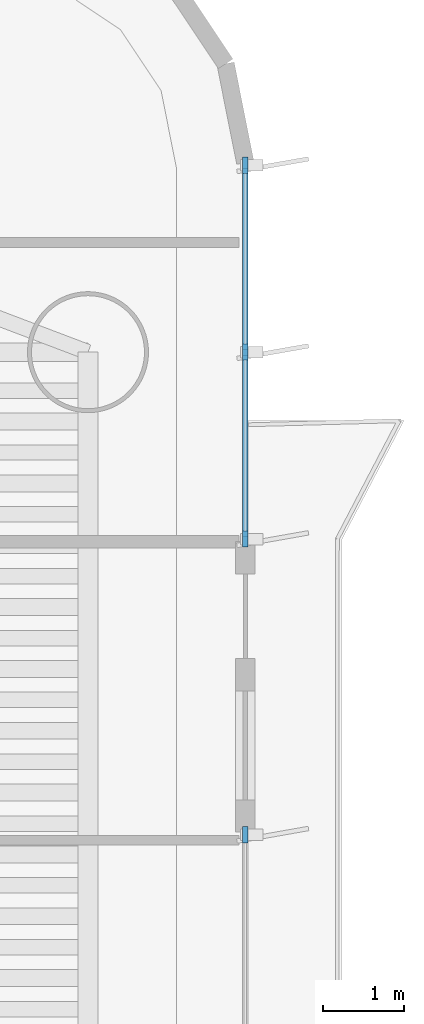
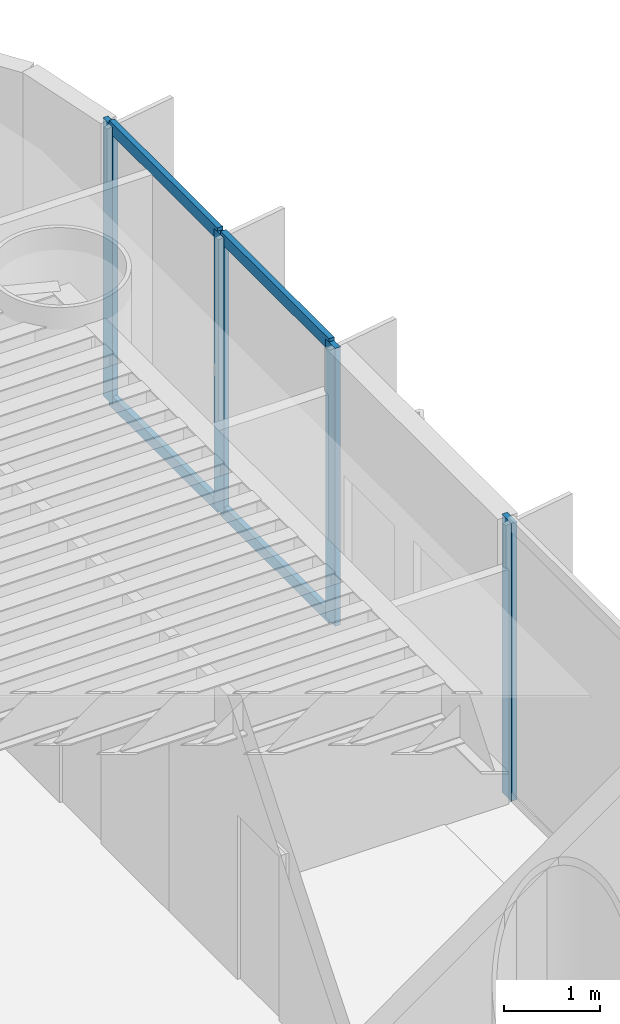
# One storey, part 6 of 19: 8 members, 2 elements without a shape of their own.
"""IFC4 building model written with IfcOpenShell, lengths in metres."""

import ifcopenshell
import ifcopenshell.guid

model = None  # the IFC model being written
_history = None  # IfcOwnerHistory: only IFC2X3 demands one
_inside = {}  # id of a spatial element -> (the spatial element, [elements in it])
_under = {}  # id of a project, library or spatial element -> (it, [spatial elements below it])
_declared = {}  # id of a project -> (the project, [libraries it declares])
_typed = {}  # id of a type object -> (the type object, [elements of that type])
_made_of = {}  # id of a material, layer set ... -> (it, [elements and type objects made of it])


def new_model(schema):
    """Start an empty IFC model of exactly this schema.

    Asked for "IFC4X3", IfcOpenShell would pick the latest addendum, in which some entities
    have other attributes; the version numbers below select the first issue.
    IFC2X3 requires an IfcOwnerHistory on every rooted entity: one is made here for all.
    """
    global model, _history
    if schema == "IFC4X3":
        model = ifcopenshell.file(schema_version=(4, 3, 0, 0))
    else:
        model = ifcopenshell.file(schema=schema)
    _inside.clear()
    _under.clear()
    _declared.clear()
    _typed.clear()
    _made_of.clear()
    _history = None
    if model.schema == "IFC2X3":
        org = make("IfcOrganization", Name="unknown")
        user = make(
            "IfcPersonAndOrganization",
            ThePerson=make("IfcPerson", FamilyName="unknown"),
            TheOrganization=org,
        )
        app = make(
            "IfcApplication",
            ApplicationDeveloper=org,
            Version="unknown",
            ApplicationFullName="unknown",
            ApplicationIdentifier="unknown",
        )
        _history = make(
            "IfcOwnerHistory",
            OwningUser=user,
            OwningApplication=app,
            ChangeAction="ADDED",
            CreationDate=0,
        )
    return model


def make(cls, **values):
    """One entity of the class cls with the attributes given. An attribute that is None is left unset."""
    return model.create_entity(
        cls, **{name: value for name, value in values.items() if value is not None}
    )


def rooted(cls, **values):
    """An entity with a GlobalId (a new one), such as an element, a storey or a relation."""
    return make(cls, GlobalId=ifcopenshell.guid.new(), OwnerHistory=_history, **values)


def si_unit(unit_type, name, prefix=None):
    """IfcSIUnit, for example si_unit("LENGTHUNIT", "METRE", prefix="MILLI")."""
    return make("IfcSIUnit", UnitType=unit_type, Prefix=prefix, Name=name)


def assignment(units):
    """IfcUnitAssignment: the units of a project."""
    return None if units is None else make("IfcUnitAssignment", Units=units)


def point(xyz):
    """IfcCartesianPoint."""
    return None if xyz is None else make("IfcCartesianPoint", Coordinates=xyz)


def direction(xyz):
    """IfcDirection."""
    return None if xyz is None else make("IfcDirection", DirectionRatios=xyz)


def frame(location, z_axis=None, x_axis=None):
    """IfcAxis2Placement3D, a coordinate frame: its origin and axes. An axis left out is left unset."""
    return make(
        "IfcAxis2Placement3D",
        Location=point(location),
        Axis=direction(z_axis),
        RefDirection=direction(x_axis),
    )


def frame_2d(location, x_axis=None):
    """IfcAxis2Placement2D, a coordinate frame in the plane: its origin and x axis."""
    return make(
        "IfcAxis2Placement2D", Location=point(location), RefDirection=direction(x_axis)
    )


def origin():
    """The frame at (0, 0, 0) with its axes left unset."""
    return frame((0.0, 0.0, 0.0))


def origin_2d():
    """The frame at (0, 0) in the plane with its x axis left unset."""
    return frame_2d((0.0, 0.0))


def place(relative_to, where):
    """IfcLocalPlacement: puts the frame where relative to a parent placement (None: the world)."""
    return make(
        "IfcLocalPlacement", PlacementRelTo=relative_to, RelativePlacement=where
    )


def context(
    kind, dimensions, precision=None, world=None, true_north=None, identifier=None
):
    """IfcGeometricRepresentationContext, for example the 3D "Model" context."""
    return make(
        "IfcGeometricRepresentationContext",
        ContextIdentifier=identifier,
        ContextType=kind,
        CoordinateSpaceDimension=dimensions,
        Precision=precision,
        WorldCoordinateSystem=world,
        TrueNorth=true_north,
    )


def subcontext(parent, identifier, kind, view, scale=None):
    """IfcGeometricRepresentationSubContext, for example "Body" below "Model"."""
    return make(
        "IfcGeometricRepresentationSubContext",
        ContextIdentifier=identifier,
        ContextType=kind,
        ParentContext=parent,
        TargetScale=scale,
        TargetView=view,
    )


def project(units=None, contexts=None):
    """IfcProject with its units and contexts."""
    return rooted(
        "IfcProject",
        Name="project",
        RepresentationContexts=contexts,
        UnitsInContext=assignment(units),
    )


def spatial(cls, under=None, at=None, **own):
    """A site, building, storey or space (cls), placed at a placement, below another one or the project."""
    s = rooted(cls, ObjectPlacement=at, **own)
    if under is not None:
        _under.setdefault(under.id(), (under, []))[1].append(s)
    return s


def profile(cls, at=None, kind="AREA", **sizes):
    """A parametric profile (cls). Its sizes go by their IFC names, for example OverallWidth=200.0."""
    return make(cls, ProfileType=kind, Position=at, **sizes)


def rectangle(**sizes):
    """IfcRectangleProfileDef."""
    return profile("IfcRectangleProfileDef", **sizes)


def extrude(swept, where, along, depth):
    """IfcExtrudedAreaSolid: the profile swept, set in the frame where, extruded along a direction by depth."""
    return make(
        "IfcExtrudedAreaSolid",
        SweptArea=swept,
        Position=where,
        ExtrudedDirection=direction(along),
        Depth=depth,
    )


def shape(context_of_items, identifier, shape_type, items):
    """IfcShapeRepresentation: the items that make up one representation, for example the "Body"."""
    return make(
        "IfcShapeRepresentation",
        ContextOfItems=context_of_items,
        RepresentationIdentifier=identifier,
        RepresentationType=shape_type,
        Items=items,
    )


def source(mapping_origin, context_of_items, identifier, shape_type, items):
    """IfcRepresentationMap: a shape defined once, which mapped items show again and again."""
    return make(
        "IfcRepresentationMap",
        MappingOrigin=mapping_origin,
        MappedRepresentation=shape(context_of_items, identifier, shape_type, items),
    )


def transform(
    local_origin,
    x_axis=None,
    y_axis=None,
    z_axis=None,
    scale=None,
    scale2=None,
    scale3=None,
    uniform=True,
):
    """IfcCartesianTransformationOperator3D, or its non-uniform kind. x_axis, y_axis, z_axis: its Axis1, 2, 3."""
    if uniform:
        return make(
            "IfcCartesianTransformationOperator3D",
            Axis1=direction(x_axis),
            Axis2=direction(y_axis),
            LocalOrigin=point(local_origin),
            Scale=scale,
            Axis3=direction(z_axis),
        )
    return make(
        "IfcCartesianTransformationOperator3DnonUniform",
        Axis1=direction(x_axis),
        Axis2=direction(y_axis),
        LocalOrigin=point(local_origin),
        Scale=scale,
        Axis3=direction(z_axis),
        Scale2=scale2,
        Scale3=scale3,
    )


def mapped(mapping_source, mapping_target):
    """IfcMappedItem: shows the shape of a source again, moved by a transform."""
    return make(
        "IfcMappedItem", MappingSource=mapping_source, MappingTarget=mapping_target
    )


def material(Name=None, Category=None):
    """IfcMaterial."""
    return make("IfcMaterial", Name=Name, Category=Category)


def layer(
    of_material, thickness, ventilated=None, Name=None, Category=None, Priority=None
):
    """IfcMaterialLayer: one layer of a wall or slab, of a material (None: an air gap)."""
    return make(
        "IfcMaterialLayer",
        Material=of_material,
        LayerThickness=thickness,
        IsVentilated=ventilated,
        Name=Name,
        Category=Category,
        Priority=Priority,
    )


def layer_set(layers, Name=None):
    """IfcMaterialLayerSet."""
    return make("IfcMaterialLayerSet", MaterialLayers=layers, LayerSetName=Name)


def material_profile(
    of_material, cross_section, Name=None, Category=None, Priority=None
):
    """IfcMaterialProfile: a cross section and its material."""
    return make(
        "IfcMaterialProfile",
        Name=Name,
        Material=of_material,
        Profile=cross_section,
        Priority=Priority,
        Category=Category,
    )


def profile_set(profiles, Name=None, composite=None):
    """IfcMaterialProfileSet."""
    return make(
        "IfcMaterialProfileSet",
        Name=Name,
        MaterialProfiles=profiles,
        CompositeProfile=composite,
    )


def made_of(thing, what):
    """Note that an element or type object is made of a material, layer set ...; save() writes the relation."""
    if what is not None:
        _made_of.setdefault(what.id(), (what, []))[1].append(thing)
    return thing


def type_object(cls, material=None, **own):
    """A type object (cls), such as IfcWallType, which elements share."""
    return made_of(rooted(cls, **own), material)


def element(
    cls,
    number,
    at=None,
    inside=None,
    cuts=None,
    type_object=None,
    material=None,
    context=None,
    identifier="Body",
    shape_type=None,
    held_by="IfcProductDefinitionShape",
    body=None,
    shapes=None,
    **own,
):
    """One element of the class cls, such as IfcWall. Its Tag is "e" and its number.

    at: its placement. inside: the storey or other place that contains it. cuts: it is an
    opening in that element (IfcRelVoidsElement). A single representation is given by context,
    identifier, shape_type and body (its items); several are given by shapes. held_by: the class
    of the entity that holds the representations. save() writes the other relations.
    """
    e = rooted(cls, Tag="e%d" % number, ObjectPlacement=at, **own)
    if body is not None:
        shapes = [shape(context, identifier, shape_type, body)]
    if shapes is not None:
        e.Representation = make(held_by, Representations=shapes)
    if inside is not None:
        _inside.setdefault(inside.id(), (inside, []))[1].append(e)
    if cuts is not None:
        rooted(
            "IfcRelVoidsElement", RelatingBuildingElement=cuts, RelatedOpeningElement=e
        )
    if type_object is not None:
        _typed.setdefault(type_object.id(), (type_object, []))[1].append(e)
    return made_of(e, material)


def aggregate(whole, parts):
    """IfcRelAggregates: a whole, such as a stair, and the parts it consists of."""
    return rooted("IfcRelAggregates", RelatingObject=whole, RelatedObjects=parts)


def save(model, path):
    """Write the relations noted so far, then the file.

    IfcRelAggregates (storeys below a building ...), IfcRelContainedInSpatialStructure (elements
    in a storey), IfcRelDefinesByType, IfcRelAssociatesMaterial and IfcRelDeclares: one each for
    every whole, place, type object, material and project.
    """
    for whole, parts in _under.values():
        aggregate(whole, parts)
    for where, things in _inside.values():
        rooted(
            "IfcRelContainedInSpatialStructure",
            RelatedElements=things,
            RelatingStructure=where,
        )
    for kind, things in _typed.values():
        rooted("IfcRelDefinesByType", RelatedObjects=things, RelatingType=kind)
    for what, things in _made_of.values():
        rooted("IfcRelAssociatesMaterial", RelatedObjects=things, RelatingMaterial=what)
    for by, libraries in _declared.values():
        rooted("IfcRelDeclares", RelatingContext=by, RelatedDefinitions=libraries)
    model.write(path)


model = new_model("IFC4")

# Units and contexts
model_context = context("Model", 3, precision=1e-05, world=origin(), true_north=direction((0.0, 1.0)))
body_context = subcontext(model_context, "Body", "Model", "MODEL_VIEW")
ifc_project = project(units=[si_unit("LENGTHUNIT", "METRE"), si_unit("AREAUNIT", "SQUARE_METRE"), si_unit("VOLUMEUNIT", "CUBIC_METRE"), si_unit("PLANEANGLEUNIT", "RADIAN"), si_unit("MASSUNIT", "GRAM", prefix="KILO")], contexts=[model_context])

# Site, building, storey
site_placement = place(None, origin())
site = spatial("IfcSite", under=ifc_project, at=site_placement, CompositionType="ELEMENT")
building_placement = place(site_placement, origin())
building = spatial("IfcBuilding", under=site, at=building_placement, Name="Brelvock Crest Care Tower", CompositionType="ELEMENT")
storey_placement = place(building_placement, frame((0.0, 0.0, 30.780029296875)))
storey = spatial("IfcBuildingStorey", under=building, at=storey_placement, Name="L07", CompositionType="ELEMENT", Elevation=30.780029296875)

# Curtain wall, members
ifc_material_1 = material(Name="Dark Glass Double Glazed Low-E", Category="glass")
ifc_layer = layer(ifc_material_1, 0.195068359375, Name="CWS-2")
ifc_layer_set = layer_set([ifc_layer], Name="Dark Glass Double Glazed Low-E")
curtain_wall_type = type_object("IfcCurtainWallType", Name="CWS-2", PredefinedType="NOTDEFINED", material=ifc_layer_set)
curtain_wall_1_placement = place(storey_placement, origin())
curtain_wall_1 = element("IfcCurtainWall", 1, at=curtain_wall_1_placement, inside=storey, type_object=curtain_wall_type, Name="L07 Curtain Wall E03A", PredefinedType="NOTDEFINED")
ifc_material_2 = material(Name="Aluminium 6063-T6", Category="aluminium")
ifc_material_profile_1 = material_profile(ifc_material_2, rectangle(XDim=0.06494140625, YDim=0.199951171875, at=origin_2d()), Name="ALU65x200")
ifc_profile_set_1 = profile_set([ifc_material_profile_1], Name="Aluminium 6063-T6")
member_type_1 = type_object("IfcMemberType", Name="CWM-1", PredefinedType="MULLION", material=ifc_profile_set_1)
shared_shape_1 = source(origin(), body_context, "Body", "SweptSolid", [
    extrude(rectangle(XDim=0.06494140625, YDim=0.199951171875, at=origin_2d()), origin(), (0.0, 0.0, 1.0), 3.530029296875),
])
member_1_placement = place(storey_placement, frame((60.0, 32.767578125, 0.0), z_axis=(0.0, 0.0, 1.0), x_axis=(1.0, 0.0, 0.0)))
member_1 = element("IfcMember", 2, at=member_1_placement, type_object=member_type_1, Name="CW-2 mullion 1", PredefinedType="MULLION", context=body_context, shape_type="MappedRepresentation", body=[
    mapped(shared_shape_1, transform((0.0, 0.0, 0.0), x_axis=(1.0, 0.0, 0.0), y_axis=(0.0, 1.0, 0.0), z_axis=(0.0, 0.0, 1.0), scale=1.0)),
])
member_2_placement = place(storey_placement, frame((60.0, 30.449951171875, 0.0), z_axis=(0.0, 0.0, 1.0), x_axis=(1.0, 0.0, 0.0)))
member_2 = element("IfcMember", 3, at=member_2_placement, type_object=member_type_1, Name="CW-2 mullion 2", PredefinedType="MULLION", context=body_context, shape_type="MappedRepresentation", body=[
    mapped(shared_shape_1, transform((0.0, 0.0, 0.0), x_axis=(1.0, 0.0, 0.0), y_axis=(0.0, 1.0, 0.0), z_axis=(0.0, 0.0, 1.0), scale=1.0)),
])
member_3_placement = place(storey_placement, frame((60.0, 28.132568359375, 0.0), z_axis=(0.0, 0.0, 1.0), x_axis=(1.0, 0.0, 0.0)))
member_3 = element("IfcMember", 4, at=member_3_placement, type_object=member_type_1, Name="CW-2 mullion 3", PredefinedType="MULLION", context=body_context, shape_type="MappedRepresentation", body=[
    mapped(shared_shape_1, transform((0.0, 0.0, 0.0), x_axis=(1.0, 0.0, 0.0), y_axis=(0.0, 1.0, 0.0), z_axis=(0.0, 0.0, 1.0), scale=1.0)),
])

# Curtain wall, member
curtain_wall_2_placement = place(storey_placement, origin())
curtain_wall_2 = element("IfcCurtainWall", 5, at=curtain_wall_2_placement, inside=storey, type_object=curtain_wall_type, Name="L07 Curtain Wall E03B", PredefinedType="NOTDEFINED")
member_4_placement = place(storey_placement, frame((60.0, 24.467529296875, 0.0), z_axis=(0.0, 0.0, 1.0), x_axis=(1.0, 0.0, 0.0)))
member_4 = element("IfcMember", 6, at=member_4_placement, type_object=member_type_1, Name="CW-2 mullion 1", PredefinedType="MULLION", context=body_context, shape_type="MappedRepresentation", body=[
    mapped(shared_shape_1, transform((0.0, 0.0, 0.0), x_axis=(1.0, 0.0, 0.0), y_axis=(0.0, 1.0, 0.0), z_axis=(0.0, 0.0, 1.0), scale=1.0)),
])
aggregate(curtain_wall_2, [member_4])

# Member
ifc_material_profile_2 = material_profile(ifc_material_2, rectangle(XDim=0.06494140625, YDim=0.14990234375, at=origin_2d()), Name="ALU65x150")
ifc_profile_set_2 = profile_set([ifc_material_profile_2], Name="Aluminium 6063-T6")
member_type_2 = type_object("IfcMemberType", Name="CWT-1", PredefinedType="USERDEFINED", material=ifc_profile_set_2)
shared_shape_2 = source(origin(), body_context, "Body", "SweptSolid", [
    extrude(rectangle(XDim=0.06494140625, YDim=0.14990234375, at=origin_2d()), origin(), (0.0, 0.0, 1.0), 2.252685546875),
])
member_5_placement = place(storey_placement, frame((60.0, 32.735107421875, 0.032470703125), z_axis=(0.0, -1.0, 0.0), x_axis=(1.0, 0.0, 0.0)))
member_5 = element("IfcMember", 7, at=member_5_placement, type_object=member_type_2, Name="CW-2 transom 1.1", ObjectType="TRANSOM", PredefinedType="USERDEFINED", context=body_context, shape_type="MappedRepresentation", body=[
    mapped(shared_shape_2, transform((0.0, 0.0, 0.0), x_axis=(1.0, 0.0, 0.0), y_axis=(0.0, 1.0, 0.0), z_axis=(0.0, 0.0, 1.0), scale=1.0)),
])

member_6_placement = place(storey_placement, frame((60.0, 32.735107421875, 3.49755859375), z_axis=(0.0, -1.0, 0.0), x_axis=(1.0, 0.0, 0.0)))
member_6 = element("IfcMember", 8, at=member_6_placement, type_object=member_type_2, Name="CW-2 transom 1.2", ObjectType="TRANSOM", PredefinedType="USERDEFINED", context=body_context, shape_type="MappedRepresentation", body=[
    mapped(shared_shape_2, transform((0.0, 0.0, 0.0), x_axis=(1.0, 0.0, 0.0), y_axis=(0.0, 1.0, 0.0), z_axis=(0.0, 0.0, 1.0), scale=1.0)),
])

shared_shape_3 = source(origin(), body_context, "Body", "SweptSolid", [
    extrude(rectangle(XDim=0.06494140625, YDim=0.14990234375, at=origin_2d()), origin(), (0.0, 0.0, 1.0), 2.25244140625),
])
member_7_placement = place(storey_placement, frame((60.0, 30.41748046875, 0.032470703125), z_axis=(0.0, -1.0, 0.0), x_axis=(1.0, 0.0, 0.0)))
member_7 = element("IfcMember", 9, at=member_7_placement, type_object=member_type_2, Name="CW-2 transom 2.1", ObjectType="TRANSOM", PredefinedType="USERDEFINED", context=body_context, shape_type="MappedRepresentation", body=[
    mapped(shared_shape_3, transform((0.0, 0.0, 0.0), x_axis=(1.0, 0.0, 0.0), y_axis=(0.0, 1.0, 0.0), z_axis=(0.0, 0.0, 1.0), scale=1.0)),
])

member_8_placement = place(storey_placement, frame((60.0, 30.41748046875, 3.49755859375), z_axis=(0.0, -1.0, 0.0), x_axis=(1.0, 0.0, 0.0)))
member_8 = element("IfcMember", 10, at=member_8_placement, type_object=member_type_2, Name="CW-2 transom 2.2", ObjectType="TRANSOM", PredefinedType="USERDEFINED", context=body_context, shape_type="MappedRepresentation", body=[
    mapped(shared_shape_3, transform((0.0, 0.0, 0.0), x_axis=(1.0, 0.0, 0.0), y_axis=(0.0, 1.0, 0.0), z_axis=(0.0, 0.0, 1.0), scale=1.0)),
])

aggregate(curtain_wall_1, [member_1, member_2, member_3, member_5, member_6, member_7, member_8])

save(model, "model.ifc")
